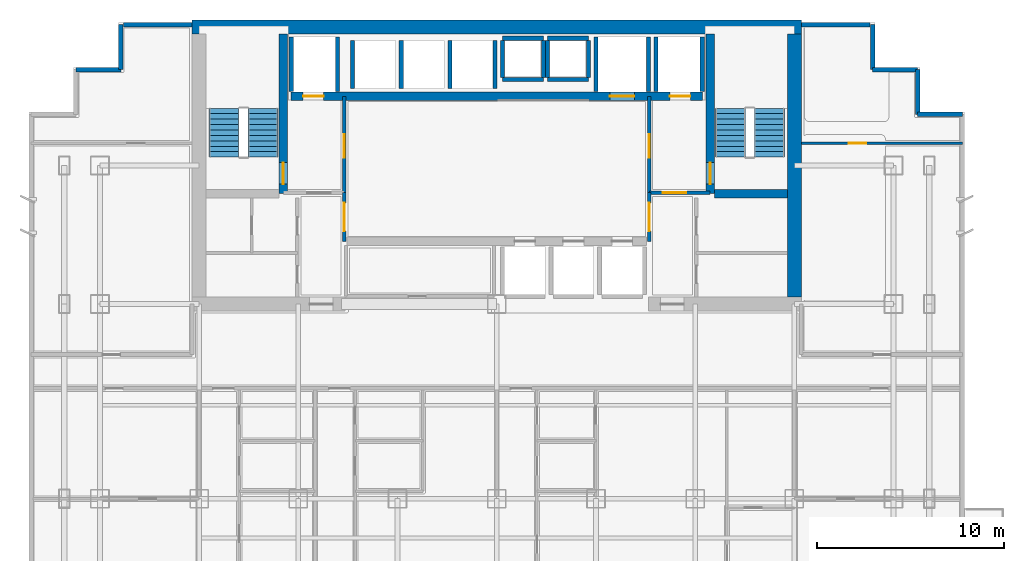
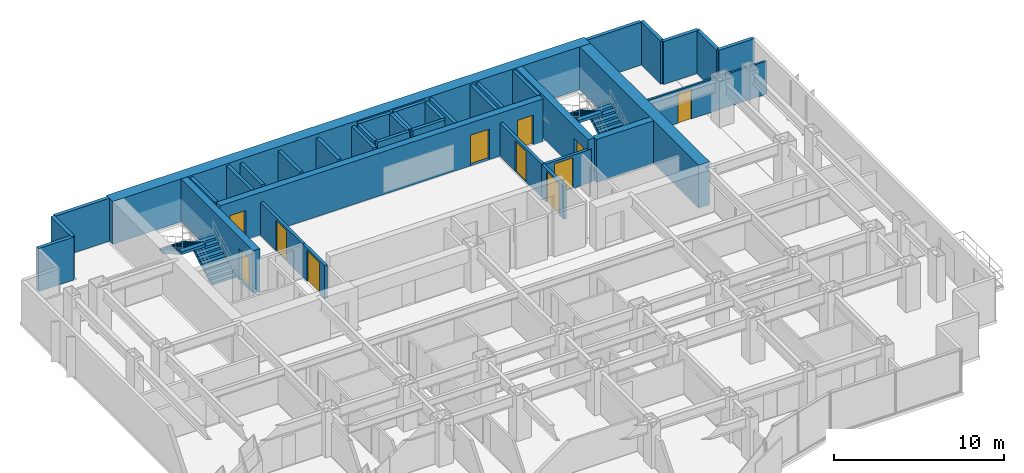
# One storey, part 7 of 10: 38 walls, 11 doors, 4 stair flights, 11 openings, 2 elements without a shape of their own.
"""IFC4 building model written with IfcOpenShell, lengths in metres."""

from ifc_helpers import new_model, si_unit, direction, frame, frame_2d, origin, place, context, subcontext, project, spatial, polyline, rectangle, outline, extrude, material, layer, layer_set, type_object, element, fill, aggregate, save


model = new_model("IFC4")

# Units and contexts
model_context = context("Model", 3, precision=1e-05, world=origin(), true_north=direction((0.0, 1.0)))
body_context = subcontext(model_context, "Body", "Model", "MODEL_VIEW")
ifc_project = project(units=[si_unit("LENGTHUNIT", "METRE"), si_unit("AREAUNIT", "SQUARE_METRE"), si_unit("VOLUMEUNIT", "CUBIC_METRE"), si_unit("PLANEANGLEUNIT", "RADIAN"), si_unit("MASSUNIT", "GRAM", prefix="KILO")], contexts=[model_context])

# Site, building, storey
site_placement = place(None, origin())
site = spatial("IfcSite", under=ifc_project, at=site_placement, CompositionType="ELEMENT")
building_placement = place(site_placement, origin())
building = spatial("IfcBuilding", under=site, at=building_placement, Name="Qianlan Lanfeng Residences", CompositionType="ELEMENT")
storey_placement = place(building_placement, frame((0.0, 0.0, 91.60009765625)))
storey = spatial("IfcBuildingStorey", under=building, at=storey_placement, Name="L24", CompositionType="ELEMENT", Elevation=91.60009765625)

# Wall, opening, door
ifc_material_1 = material(Name="Concrete C60", Category="concrete")
ifc_layer_1 = layer(ifc_material_1, 0.449951171875)
ifc_layer_set_1 = layer_set([ifc_layer_1], Name="Concrete C60")
wall_type_1 = type_object("IfcWallType", Name="CW-RC-450", PredefinedType="SHEAR", material=ifc_layer_set_1)
wall_1_placement = place(storey_placement, frame((15.10009765625, 31.10009765625, 0.0), z_axis=(0.0, 0.0, 1.0), x_axis=(0.0, 1.0, 0.0)))
wall_1 = element("IfcWall", 1, at=wall_1_placement, inside=storey, type_object=wall_type_1, Name="L24 Core Shear Wall ST1E", PredefinedType="SHEAR", context=body_context, shape_type="SweptSolid", body=[
    extrude(rectangle(XDim=8.52490234375, YDim=0.449951171875, at=frame_2d((4.262451171875, 0.0))), origin(), (0.0, 0.0, 1.0), 3.08984375),
])
opening_1_placement = place(wall_1_placement, frame((0.510009765625, 0.0, 0.0)))
opening_1 = element("IfcOpeningElement", 2, at=opening_1_placement, cuts=wall_1, Name="Opening L24-D07", PredefinedType="OPENING", context=body_context, shape_type="SweptSolid", body=[
    extrude(rectangle(XDim=1.14990234375, YDim=2.199951171875, at=frame_2d((0.574951171875, 1.10009765625))), frame((0.0, 0.23486328125, 0.0), z_axis=(0.0, -1.0, 0.0), x_axis=(1.0, 0.0, 0.0)), (0.0, 0.0, 1.0), 0.469970703125),
])
ifc_material_2 = material(Name="Painted Galvanised Steel Fire Door", Category="steel")
door_type_1 = type_object("IfcDoorType", Name="DT-ST1", OperationType="NOTDEFINED", PredefinedType="DOOR", material=ifc_material_2)
door_1_placement = place(opening_1_placement, frame((1.14990234375, 0.0, 0.0), z_axis=(0.0, 0.0, 1.0), x_axis=(-1.0, 0.0, 0.0)))
door_1 = element("IfcDoor", 3, at=door_1_placement, inside=storey, type_object=door_type_1, Name="L24 Exit Stair ST-1 Door L24-D07 (DT-ST1)", OperationType="SINGLE_SWING_RIGHT", OverallHeight=2.199951171875, OverallWidth=1.14990234375, PredefinedType="DOOR", context=body_context, shape_type="SweptSolid", body=[
    extrude(rectangle(XDim=1.14990234375, YDim=2.199951171875, at=frame_2d((0.574951171875, 1.10009765625))), frame((0.0, 0.02490234375, 0.0), z_axis=(0.0, -1.0, 0.0), x_axis=(1.0, 0.0, 0.0)), (0.0, 0.0, 1.0), 0.050048828125),
])
fill(opening_1, door_1)

wall_2_placement = place(storey_placement, frame((37.89990234375, 31.10009765625, 0.0), z_axis=(0.0, 0.0, 1.0), x_axis=(0.0, 1.0, 0.0)))
wall_2 = element("IfcWall", 4, at=wall_2_placement, inside=storey, type_object=wall_type_1, Name="L24 Core Shear Wall ST2W", PredefinedType="SHEAR", context=body_context, shape_type="SweptSolid", body=[
    extrude(rectangle(XDim=8.52490234375, YDim=0.449951171875, at=frame_2d((4.262451171875, 0.0))), origin(), (0.0, 0.0, 1.0), 3.08984375),
])
opening_2_placement = place(wall_2_placement, frame((0.510009765625, 0.0, 0.0)))
opening_2 = element("IfcOpeningElement", 5, at=opening_2_placement, cuts=wall_2, Name="Opening L24-D08", PredefinedType="OPENING", context=body_context, shape_type="SweptSolid", body=[
    extrude(rectangle(XDim=1.14990234375, YDim=2.199951171875, at=frame_2d((0.574951171875, 1.10009765625))), frame((0.0, 0.23486328125, 0.0), z_axis=(0.0, -1.0, 0.0), x_axis=(1.0, 0.0, 0.0)), (0.0, 0.0, 1.0), 0.469970703125),
])
door_2_placement = place(opening_2_placement, origin())
door_2 = element("IfcDoor", 6, at=door_2_placement, inside=storey, type_object=door_type_1, Name="L24 Exit Stair ST-2 Door L24-D08 (DT-ST1)", OperationType="SINGLE_SWING_RIGHT", OverallHeight=2.199951171875, OverallWidth=1.14990234375, PredefinedType="DOOR", context=body_context, shape_type="SweptSolid", body=[
    extrude(rectangle(XDim=1.14990234375, YDim=2.199951171875, at=frame_2d((0.574951171875, 1.10009765625))), frame((0.0, 0.02490234375, 0.0), z_axis=(0.0, -1.0, 0.0), x_axis=(1.0, 0.0, 0.0)), (0.0, 0.0, 1.0), 0.050048828125),
])
fill(opening_2, door_2)

# Wall
wall_3_placement = place(storey_placement, frame((38.125, 31.10009765625, 0.0), z_axis=(0.0, 0.0, 1.0), x_axis=(1.0, 0.0, 0.0)))
element("IfcWall", 7, at=wall_3_placement, inside=storey, type_object=wall_type_1, Name="L24 Core Shear Wall ST2S", PredefinedType="SHEAR", context=body_context, shape_type="SweptSolid", body=[
    extrude(rectangle(XDim=3.89990234375, YDim=0.449951171875, at=frame_2d((1.949951171875, 0.0))), origin(), (0.0, 0.0, 1.0), 3.08984375),
])

# Wall, openings, doors
wall_4_placement = place(storey_placement, frame((15.5, 36.300048828125, 0.0), z_axis=(0.0, 0.0, 1.0), x_axis=(1.0, 0.0, 0.0)))
wall_4 = element("IfcWall", 8, at=wall_4_placement, inside=storey, type_object=wall_type_1, Name="L24 Core Shear Wall LBN", PredefinedType="SHEAR", context=body_context, shape_type="SweptSolid", body=[
    extrude(rectangle(XDim=22.0, YDim=0.449951171875, at=frame_2d((11.0, 0.0))), origin(), (0.0, 0.0, 1.0), 3.08984375),
])
opening_3_placement = place(wall_4_placement, frame((0.64990234375, 0.0, 0.0)))
opening_3 = element("IfcOpeningElement", 9, at=opening_3_placement, cuts=wall_4, Name="Opening L24-LD-FFL-1", PredefinedType="OPENING", context=body_context, shape_type="SweptSolid", body=[
    extrude(rectangle(XDim=1.10009765625, YDim=2.14990234375, at=frame_2d((0.550048828125, 1.074951171875))), frame((0.0, 0.23486328125, 0.0), z_axis=(0.0, -1.0, 0.0), x_axis=(1.0, 0.0, 0.0)), (0.0, 0.0, 1.0), 0.469970703125),
])
opening_4_placement = place(wall_4_placement, frame((20.25, 0.0, 0.0)))
opening_4 = element("IfcOpeningElement", 10, at=opening_4_placement, cuts=wall_4, Name="Opening L24-LD-FFL-2", PredefinedType="OPENING", context=body_context, shape_type="SweptSolid", body=[
    extrude(rectangle(XDim=1.10009765625, YDim=2.14990234375, at=frame_2d((0.550048828125, 1.074951171875))), frame((0.0, 0.23486328125, 0.0), z_axis=(0.0, -1.0, 0.0), x_axis=(1.0, 0.0, 0.0)), (0.0, 0.0, 1.0), 0.469970703125),
])
opening_5_placement = place(wall_4_placement, frame((17.050048828125, 0.0, 0.0)))
opening_5 = element("IfcOpeningElement", 11, at=opening_5_placement, cuts=wall_4, Name="Opening L24-LD-SVL-1", PredefinedType="OPENING", context=body_context, shape_type="SweptSolid", body=[
    extrude(rectangle(XDim=1.300048828125, YDim=2.199951171875, at=frame_2d((0.64990234375, 1.10009765625))), frame((0.0, 0.23486328125, 0.0), z_axis=(0.0, -1.0, 0.0), x_axis=(1.0, 0.0, 0.0)), (0.0, 0.0, 1.0), 0.469970703125),
])
ifc_material_3 = material(Name="Brushed Stainless Steel Sliding Lift Door", Category="steel")
door_type_2 = type_object("IfcDoorType", Name="LD-01", OperationType="NOTDEFINED", PredefinedType="DOOR", material=ifc_material_3)
door_3_placement = place(opening_3_placement, frame((1.10009765625, 0.0, 0.0), z_axis=(0.0, 0.0, 1.0), x_axis=(-1.0, 0.0, 0.0)))
door_3 = element("IfcDoor", 12, at=door_3_placement, inside=storey, type_object=door_type_2, Name="L24 Elevator FFL-1 Sliding Landing Door", OperationType="DOUBLE_DOOR_SLIDING", OverallHeight=2.14990234375, OverallWidth=1.10009765625, PredefinedType="DOOR", context=body_context, shape_type="SweptSolid", body=[
    extrude(rectangle(XDim=1.10009765625, YDim=2.14990234375, at=frame_2d((0.550048828125, 1.074951171875))), frame((0.0, 0.02490234375, 0.0), z_axis=(0.0, -1.0, 0.0), x_axis=(1.0, 0.0, 0.0)), (0.0, 0.0, 1.0), 0.050048828125),
])
fill(opening_3, door_3)
door_4_placement = place(opening_4_placement, frame((1.10009765625, 0.0, 0.0), z_axis=(0.0, 0.0, 1.0), x_axis=(-1.0, 0.0, 0.0)))
door_4 = element("IfcDoor", 13, at=door_4_placement, inside=storey, type_object=door_type_2, Name="L24 Elevator FFL-2 Sliding Landing Door", OperationType="DOUBLE_DOOR_SLIDING", OverallHeight=2.14990234375, OverallWidth=1.10009765625, PredefinedType="DOOR", context=body_context, shape_type="SweptSolid", body=[
    extrude(rectangle(XDim=1.10009765625, YDim=2.14990234375, at=frame_2d((0.550048828125, 1.074951171875))), frame((0.0, 0.02490234375, 0.0), z_axis=(0.0, -1.0, 0.0), x_axis=(1.0, 0.0, 0.0)), (0.0, 0.0, 1.0), 0.050048828125),
])
fill(opening_4, door_4)
door_type_3 = type_object("IfcDoorType", Name="LD-02", OperationType="NOTDEFINED", PredefinedType="DOOR", material=ifc_material_3)
door_5_placement = place(opening_5_placement, frame((1.300048828125, 0.0, 0.0), z_axis=(0.0, 0.0, 1.0), x_axis=(-1.0, 0.0, 0.0)))
door_5 = element("IfcDoor", 14, at=door_5_placement, inside=storey, type_object=door_type_3, Name="L24 Elevator SVL-1 Sliding Landing Door", OperationType="DOUBLE_DOOR_SLIDING", OverallHeight=2.199951171875, OverallWidth=1.300048828125, PredefinedType="DOOR", context=body_context, shape_type="SweptSolid", body=[
    extrude(rectangle(XDim=1.300048828125, YDim=2.199951171875, at=frame_2d((0.64990234375, 1.10009765625))), frame((0.0, 0.02490234375, 0.0), z_axis=(0.0, -1.0, 0.0), x_axis=(1.0, 0.0, 0.0)), (0.0, 0.0, 1.0), 0.050048828125),
])
fill(opening_5, door_5)

# Walls
ifc_layer_2 = layer(ifc_material_1, 0.75)
ifc_layer_set_2 = layer_set([ifc_layer_2], Name="Concrete C60")
wall_type_2 = type_object("IfcWallType", Name="CW-RC-750", PredefinedType="SHEAR", material=ifc_layer_set_2)
wall_5_placement = place(storey_placement, frame((10.22509765625, 40.0, 0.0), z_axis=(0.0, 0.0, 1.0), x_axis=(1.0, 0.0, 0.0)))
element("IfcWall", 15, at=wall_5_placement, inside=storey, type_object=wall_type_2, Name="L24 Core Shear Wall N", PredefinedType="SHEAR", context=body_context, shape_type="SweptSolid", body=[
    extrude(rectangle(XDim=32.5498046875, YDim=0.75, at=frame_2d((16.27490234375, 0.0))), origin(), (0.0, 0.0, 1.0), 3.08984375),
])
wall_6_placement = place(storey_placement, frame((42.39990234375, 25.574951171875, 0.0), z_axis=(0.0, 0.0, 1.0), x_axis=(0.0, 1.0, 0.0)))
element("IfcWall", 16, at=wall_6_placement, inside=storey, type_object=wall_type_2, Name="L24 Core Shear Wall E", PredefinedType="SHEAR", context=body_context, shape_type="SweptSolid", body=[
    extrude(rectangle(XDim=14.050048828125, YDim=0.75, at=frame_2d((7.02490234375, 0.0))), origin(), (0.0, 0.0, 1.0), 3.08984375),
])
ifc_material_4 = material(Name="Concrete C42", Category="concrete")
ifc_layer_3 = layer(ifc_material_4, 0.239990234375)
ifc_layer_set_3 = layer_set([ifc_layer_3], Name="Concrete C42")
wall_type_3 = type_object("IfcWallType", Name="EW-240", PredefinedType="SOLIDWALL", material=ifc_layer_set_3)
for number, where, z_axis, x_axis, name in (
    (17, (51.3798828125, 35.330078125, 0.0), (0.0, 0.0, 1.0), (-1.0, 0.0, 0.0), "L24 Exterior Facade Spandrel Wall 11"),
    (18, (48.97998046875, 35.330078125, 0.0), (0.0, 0.0, 1.0), (0.0, 1.0, 0.0), "L24 Exterior Facade Spandrel Wall 12"),
    (19, (48.97998046875, 37.72998046875, 0.0), (0.0, 0.0, 1.0), (-1.0, 0.0, 0.0), "L24 Exterior Facade Spandrel Wall 13"),
    (20, (46.580078125, 37.72998046875, 0.0), (0.0, 0.0, 1.0), (0.0, 1.0, 0.0), "L24 Exterior Facade Spandrel Wall 14"),
):
    element("IfcWall", number, at=place(storey_placement, frame(where, z_axis=z_axis, x_axis=x_axis)), inside=storey, type_object=wall_type_3, Name=name, PredefinedType="SOLIDWALL", context=body_context, shape_type="SweptSolid", body=[
        extrude(rectangle(XDim=2.39990234375, YDim=0.239990234375, at=frame_2d((1.199951171875, 0.0))), origin(), (0.0, 0.0, 1.0), 3.08984375),
    ])
for number, where, z_axis, x_axis, name in (
    (21, (46.449951171875, 40.1298828125, 0.0), (0.0, 0.0, 1.0), (-1.0, 0.0, 0.0), "L24 North Wing Exterior Wall E"),
    (22, (10.22509765625, 40.1298828125, 0.0), (0.0, 0.0, 1.0), (-1.0, 0.0, 0.0), "L24 North Wing Exterior Wall W"),
):
    element("IfcWall", number, at=place(storey_placement, frame(where, z_axis=z_axis, x_axis=x_axis)), inside=storey, type_object=wall_type_3, Name=name, PredefinedType="SOLIDWALL", context=body_context, shape_type="SweptSolid", body=[
        extrude(rectangle(XDim=3.675048828125, YDim=0.239990234375, at=frame_2d((1.83740234375, 0.0))), origin(), (0.0, 0.0, 1.0), 3.08984375),
    ])
for number, where, z_axis, x_axis, name in (
    (23, (6.419921875, 40.1298828125, 0.0), (0.0, 0.0, 1.0), (0.0, -1.0, 0.0), "L24 Exterior Facade Spandrel Wall 17"),
    (24, (6.419921875, 37.72998046875, 0.0), (0.0, 0.0, 1.0), (-1.0, 0.0, 0.0), "L24 Exterior Facade Spandrel Wall 18"),
):
    element("IfcWall", number, at=place(storey_placement, frame(where, z_axis=z_axis, x_axis=x_axis)), inside=storey, type_object=wall_type_3, Name=name, PredefinedType="SOLIDWALL", context=body_context, shape_type="SweptSolid", body=[
        extrude(rectangle(XDim=2.39990234375, YDim=0.239990234375, at=frame_2d((1.199951171875, 0.0))), origin(), (0.0, 0.0, 1.0), 3.08984375),
    ])

# Wall, opening, door
ifc_material_5 = material(Name="Moisture-Resistant Gypsum Partition 135 mm")
ifc_layer_4 = layer(ifc_material_5, 0.135009765625)
ifc_layer_set_4 = layer_set([ifc_layer_4], Name="Moisture-Resistant Gypsum Partition 135 mm")
wall_type_4 = type_object("IfcWallType", Name="PW-135", PredefinedType="PARTITIONING", material=ifc_layer_set_4)
wall_7_placement = place(storey_placement, frame((42.77490234375, 33.800048828125, 0.0), z_axis=(0.0, 0.0, 1.0), x_axis=(1.0, 0.0, 0.0)))
wall_7 = element("IfcWall", 25, at=wall_7_placement, inside=storey, type_object=wall_type_4, Name="L24 EW North Wing Wall", PredefinedType="PARTITIONING", context=body_context, shape_type="SweptSolid", body=[
    extrude(rectangle(XDim=8.60498046875, YDim=0.135009765625, at=frame_2d((4.302490234375, 0.0))), origin(), (0.0, 0.0, 1.0), 2.3798828125),
])
opening_6_placement = place(wall_7_placement, frame((2.5419921875, 0.0, 0.0)))
opening_6 = element("IfcOpeningElement", 26, at=opening_6_placement, cuts=wall_7, Name="Opening L24-D43", PredefinedType="OPENING", context=body_context, shape_type="SweptSolid", body=[
    extrude(rectangle(XDim=0.919921875, YDim=2.14990234375, at=frame_2d((0.4599609375, 1.074951171875))), frame((0.0, 0.07763671875, 0.0), z_axis=(0.0, -1.0, 0.0), x_axis=(1.0, 0.0, 0.0)), (0.0, 0.0, 1.0), 0.155029296875),
])
ifc_material_6 = material(Name="Glazed Timber Kitchen/Study Door", Category="wood")
door_type_4 = type_object("IfcDoorType", Name="DT-INT", OperationType="NOTDEFINED", PredefinedType="DOOR", material=ifc_material_6)
door_6_placement = place(opening_6_placement, origin())
door_6 = element("IfcDoor", 27, at=door_6_placement, inside=storey, type_object=door_type_4, Name="L24 EW Inner Salon Door L24-D43 (DT-INT)", OperationType="SINGLE_SWING_RIGHT", OverallHeight=2.14990234375, OverallWidth=0.919921875, PredefinedType="DOOR", context=body_context, shape_type="SweptSolid", body=[
    extrude(rectangle(XDim=0.919921875, YDim=2.14990234375, at=frame_2d((0.4599609375, 1.074951171875))), frame((0.0, 0.02490234375, 0.0), z_axis=(0.0, -1.0, 0.0), x_axis=(1.0, 0.0, 0.0)), (0.0, 0.0, 1.0), 0.050048828125),
])
fill(opening_6, door_6)

ifc_material_7 = material(Name="Autoclaved Aerated Concrete Blockwork 200 mm", Category="masonry")
ifc_layer_5 = layer(ifc_material_7, 0.199951171875)
ifc_layer_set_5 = layer_set([ifc_layer_5], Name="Autoclaved Aerated Concrete Blockwork 200 mm")
wall_type_5 = type_object("IfcWallType", Name="PW-200", PredefinedType="PARTITIONING", material=ifc_layer_set_5)
wall_8_placement = place(storey_placement, frame((18.35009765625, 31.14990234375, 0.0), z_axis=(0.0, 0.0, 1.0), x_axis=(0.0, 1.0, 0.0)))
wall_8 = element("IfcWall", 28, at=wall_8_placement, inside=storey, type_object=wall_type_5, Name="L24 Firefighting Lobby 1 East Wall", PredefinedType="PARTITIONING", context=body_context, shape_type="SweptSolid", body=[
    extrude(rectangle(XDim=5.150146484375, YDim=0.199951171875, at=frame_2d((2.5751953125, 0.0))), origin(), (0.0, 0.0, 1.0), 2.3798828125),
])
opening_7_placement = place(wall_8_placement, frame((1.875, 0.0, 0.0)))
opening_7 = element("IfcOpeningElement", 29, at=opening_7_placement, cuts=wall_8, Name="Opening L24-D04", PredefinedType="OPENING", context=body_context, shape_type="SweptSolid", body=[
    extrude(rectangle(XDim=1.25, YDim=2.199951171875, at=frame_2d((0.625, 1.10009765625))), frame((0.0, 0.10986328125, 0.0), z_axis=(0.0, -1.0, 0.0), x_axis=(1.0, 0.0, 0.0)), (0.0, 0.0, 1.0), 0.219970703125),
])
door_type_5 = type_object("IfcDoorType", Name="DT-FFL", OperationType="NOTDEFINED", PredefinedType="DOOR", material=ifc_material_2)
door_7_placement = place(opening_7_placement, origin())
door_7 = element("IfcDoor", 30, at=door_7_placement, inside=storey, type_object=door_type_5, Name="L24 Firefighting Lobby 1 Lift Lobby Door L24-D04 (DT-FFL)", OperationType="SINGLE_SWING_LEFT", OverallHeight=2.199951171875, OverallWidth=1.25, PredefinedType="DOOR", context=body_context, shape_type="SweptSolid", body=[
    extrude(rectangle(XDim=1.25, YDim=2.199951171875, at=frame_2d((0.625, 1.10009765625))), frame((0.0, 0.02490234375, 0.0), z_axis=(0.0, -1.0, 0.0), x_axis=(1.0, 0.0, 0.0)), (0.0, 0.0, 1.0), 0.050048828125),
])
fill(opening_7, door_7)

wall_9_placement = place(storey_placement, frame((34.64990234375, 31.14990234375, 0.0), z_axis=(0.0, 0.0, 1.0), x_axis=(1.0, 0.0, 0.0)))
wall_9 = element("IfcWall", 31, at=wall_9_placement, inside=storey, type_object=wall_type_5, Name="L24 Firefighting Lobby 2 South Wall", PredefinedType="PARTITIONING", context=body_context, shape_type="SweptSolid", body=[
    extrude(rectangle(XDim=3.25, YDim=0.199951171875, at=frame_2d((1.625, 0.0))), origin(), (0.0, 0.0, 1.0), 2.3798828125),
])
opening_8_placement = place(wall_9_placement, frame((0.72509765625, 0.0, 0.0)))
opening_8 = element("IfcOpeningElement", 32, at=opening_8_placement, cuts=wall_9, Name="Opening L24-D05", PredefinedType="OPENING", context=body_context, shape_type="SweptSolid", body=[
    extrude(rectangle(XDim=1.25, YDim=2.199951171875, at=frame_2d((0.625, 1.10009765625))), frame((0.0, 0.10986328125, 0.0), z_axis=(0.0, -1.0, 0.0), x_axis=(1.0, 0.0, 0.0)), (0.0, 0.0, 1.0), 0.219970703125),
])
door_8_placement = place(opening_8_placement, origin())
door_8 = element("IfcDoor", 33, at=door_8_placement, inside=storey, type_object=door_type_5, Name="L24 Firefighting Lobby 2 Entry Door L24-D05 (DT-FFL)", OperationType="SINGLE_SWING_RIGHT", OverallHeight=2.199951171875, OverallWidth=1.25, PredefinedType="DOOR", context=body_context, shape_type="SweptSolid", body=[
    extrude(rectangle(XDim=1.25, YDim=2.199951171875, at=frame_2d((0.625, 1.10009765625))), frame((0.0, 0.02490234375, 0.0), z_axis=(0.0, -1.0, 0.0), x_axis=(1.0, 0.0, 0.0)), (0.0, 0.0, 1.0), 0.050048828125),
])
fill(opening_8, door_8)

wall_10_placement = place(storey_placement, frame((34.64990234375, 31.14990234375, 0.0), z_axis=(0.0, 0.0, 1.0), x_axis=(0.0, 1.0, 0.0)))
wall_10 = element("IfcWall", 34, at=wall_10_placement, inside=storey, type_object=wall_type_5, Name="L24 Firefighting Lobby 2 West Wall", PredefinedType="PARTITIONING", context=body_context, shape_type="SweptSolid", body=[
    extrude(rectangle(XDim=5.150146484375, YDim=0.199951171875, at=frame_2d((2.5751953125, 0.0))), origin(), (0.0, 0.0, 1.0), 2.3798828125),
])
opening_9_placement = place(wall_10_placement, frame((1.875, 0.0, 0.0)))
opening_9 = element("IfcOpeningElement", 35, at=opening_9_placement, cuts=wall_10, Name="Opening L24-D06", PredefinedType="OPENING", context=body_context, shape_type="SweptSolid", body=[
    extrude(rectangle(XDim=1.25, YDim=2.199951171875, at=frame_2d((0.625, 1.10009765625))), frame((0.0, 0.10986328125, 0.0), z_axis=(0.0, -1.0, 0.0), x_axis=(1.0, 0.0, 0.0)), (0.0, 0.0, 1.0), 0.219970703125),
])
door_9_placement = place(opening_9_placement, origin())
door_9 = element("IfcDoor", 36, at=door_9_placement, inside=storey, type_object=door_type_5, Name="L24 Firefighting Lobby 2 Lift Lobby Door L24-D06 (DT-FFL)", OperationType="SINGLE_SWING_LEFT", OverallHeight=2.199951171875, OverallWidth=1.25, PredefinedType="DOOR", context=body_context, shape_type="SweptSolid", body=[
    extrude(rectangle(XDim=1.25, YDim=2.199951171875, at=frame_2d((0.625, 1.10009765625))), frame((0.0, 0.02490234375, 0.0), z_axis=(0.0, -1.0, 0.0), x_axis=(1.0, 0.0, 0.0)), (0.0, 0.0, 1.0), 0.050048828125),
])
fill(opening_9, door_9)

wall_11_placement = place(storey_placement, frame((18.35009765625, 28.550048828125, 0.0), z_axis=(0.0, 0.0, 1.0), x_axis=(0.0, 1.0, 0.0)))
wall_11 = element("IfcWall", 37, at=wall_11_placement, inside=storey, type_object=wall_type_5, Name="L24 Lift Lobby West Connector Wall", PredefinedType="PARTITIONING", context=body_context, shape_type="SweptSolid", body=[
    extrude(rectangle(XDim=2.599853515625, YDim=0.199951171875, at=frame_2d((1.2998046875, 0.0))), origin(), (0.0, 0.0, 1.0), 2.3798828125),
])
opening_10_placement = place(wall_11_placement, frame((0.550048828125, 0.0, 0.0)))
opening_10 = element("IfcOpeningElement", 38, at=opening_10_placement, cuts=wall_11, Name="Opening L24-D14", PredefinedType="OPENING", context=body_context, shape_type="SweptSolid", body=[
    extrude(rectangle(XDim=1.5, YDim=2.25, at=frame_2d((0.75, 1.125))), frame((0.0, 0.10986328125, 0.0), z_axis=(0.0, -1.0, 0.0), x_axis=(1.0, 0.0, 0.0)), (0.0, 0.0, 1.0), 0.219970703125),
])
ifc_material_8 = material(Name="Timber Veneer Acoustic Fire Door", Category="wood")
door_type_6 = type_object("IfcDoorType", Name="DT-COR1", OperationType="NOTDEFINED", PredefinedType="DOOR", material=ifc_material_8)
door_10_placement = place(opening_10_placement, origin())
door_10 = element("IfcDoor", 39, at=door_10_placement, inside=storey, type_object=door_type_6, Name="L24 Lift Lobby West Portal Door L24-D14 (DT-COR1)", OperationType="DOUBLE_DOOR_SINGLE_SWING", OverallHeight=2.25, OverallWidth=1.5, PredefinedType="DOOR", context=body_context, shape_type="SweptSolid", body=[
    extrude(rectangle(XDim=1.5, YDim=2.25, at=frame_2d((0.75, 1.125))), frame((0.0, 0.02490234375, 0.0), z_axis=(0.0, -1.0, 0.0), x_axis=(1.0, 0.0, 0.0)), (0.0, 0.0, 1.0), 0.050048828125),
])
fill(opening_10, door_10)

wall_12_placement = place(storey_placement, frame((34.64990234375, 28.550048828125, 0.0), z_axis=(0.0, 0.0, 1.0), x_axis=(0.0, 1.0, 0.0)))
wall_12 = element("IfcWall", 40, at=wall_12_placement, inside=storey, type_object=wall_type_5, Name="L24 Lift Lobby East Connector Wall", PredefinedType="PARTITIONING", context=body_context, shape_type="SweptSolid", body=[
    extrude(rectangle(XDim=2.599853515625, YDim=0.199951171875, at=frame_2d((1.2998046875, 0.0))), origin(), (0.0, 0.0, 1.0), 2.3798828125),
])
opening_11_placement = place(wall_12_placement, frame((0.550048828125, 0.0, 0.0)))
opening_11 = element("IfcOpeningElement", 41, at=opening_11_placement, cuts=wall_12, Name="Opening L24-D15", PredefinedType="OPENING", context=body_context, shape_type="SweptSolid", body=[
    extrude(rectangle(XDim=1.5, YDim=2.25, at=frame_2d((0.75, 1.125))), frame((0.0, 0.10986328125, 0.0), z_axis=(0.0, -1.0, 0.0), x_axis=(1.0, 0.0, 0.0)), (0.0, 0.0, 1.0), 0.219970703125),
])
door_11_placement = place(opening_11_placement, frame((1.5, 0.0, 0.0), z_axis=(0.0, 0.0, 1.0), x_axis=(-1.0, 0.0, 0.0)))
door_11 = element("IfcDoor", 42, at=door_11_placement, inside=storey, type_object=door_type_6, Name="L24 Lift Lobby East Portal Door L24-D15 (DT-COR1)", OperationType="DOUBLE_DOOR_SINGLE_SWING", OverallHeight=2.25, OverallWidth=1.5, PredefinedType="DOOR", context=body_context, shape_type="SweptSolid", body=[
    extrude(rectangle(XDim=1.5, YDim=2.25, at=frame_2d((0.75, 1.125))), frame((0.0, 0.02490234375, 0.0), z_axis=(0.0, -1.0, 0.0), x_axis=(1.0, 0.0, 0.0)), (0.0, 0.0, 1.0), 0.050048828125),
])
fill(opening_11, door_11)

# Walls
ifc_material_9 = material(Name="Concrete C49", Category="concrete")
ifc_layer_6 = layer(ifc_material_9, 0.219970703125)
ifc_layer_set_6 = layer_set([ifc_layer_6], Name="Concrete C49")
wall_type_6 = type_object("IfcWallType", Name="SHW-220", PredefinedType="SOLIDWALL", material=ifc_layer_set_6)
for number, where, z_axis, x_axis, name in (
    (43, (15.52001953125, 36.550048828125, 0.0), (0.0, 0.0, 1.0), (0.0, 1.0, 0.0), "L24 Lift FFL-1 Shaft Wall W"),
    (44, (18.0, 36.550048828125, 0.0), (0.0, 0.0, 1.0), (0.0, 1.0, 0.0), "L24 Lift FFL-1 Shaft Wall E"),
    (45, (35.0, 36.550048828125, 0.0), (0.0, 0.0, 1.0), (0.0, 1.0, 0.0), "L24 Lift FFL-2 Shaft Wall W"),
    (46, (37.47998046875, 36.550048828125, 0.0), (0.0, 0.0, 1.0), (0.0, 1.0, 0.0), "L24 Lift FFL-2 Shaft Wall E"),
    (47, (31.800048828125, 36.550048828125, 0.0), (0.0, 0.0, 1.0), (0.0, 1.0, 0.0), "L24 Lift SVL-1 Shaft Wall W"),
    (48, (34.60009765625, 36.550048828125, 0.0), (0.0, 0.0, 1.0), (0.0, 1.0, 0.0), "L24 Lift SVL-1 Shaft Wall E"),
):
    element("IfcWall", number, at=place(storey_placement, frame(where, z_axis=z_axis, x_axis=x_axis)), inside=storey, type_object=wall_type_6, Name=name, PredefinedType="SOLIDWALL", context=body_context, shape_type="SweptSolid", body=[
        extrude(rectangle(XDim=2.929931640625, YDim=0.219970703125, at=frame_2d((1.46484375, 0.0))), origin(), (0.0, 0.0, 1.0), 3.08984375),
    ])
for number, where, z_axis, x_axis, name in (
    (49, (18.800048828125, 36.719970703125, 0.0), (0.0, 0.0, 1.0), (0.0, 1.0, 0.0), "L24 Lift PL-H1 Shaft Wall W"),
    (50, (21.39990234375, 36.719970703125, 0.0), (0.0, 0.0, 1.0), (0.0, 1.0, 0.0), "L24 Lift PL-H2 Shaft Wall W"),
    (51, (24.0, 36.719970703125, 0.0), (0.0, 0.0, 1.0), (0.0, 1.0, 0.0), "L24 Lift PL-H3 Shaft Wall W"),
    (52, (26.39990234375, 36.719970703125, 0.0), (0.0, 0.0, 1.0), (0.0, 1.0, 0.0), "L24 Lift PL-H3 Shaft Wall E"),
):
    element("IfcWall", number, at=place(storey_placement, frame(where, z_axis=z_axis, x_axis=x_axis)), inside=storey, type_object=wall_type_6, Name=name, PredefinedType="SOLIDWALL", context=body_context, shape_type="SweptSolid", body=[
        extrude(rectangle(XDim=2.56005859375, YDim=0.219970703125, at=frame_2d((1.280029296875, 0.0))), origin(), (0.0, 0.0, 1.0), 3.08984375),
    ])
for number, where, z_axis, x_axis, name in (
    (53, (26.800048828125, 37.31005859375, 0.0), (0.0, 0.0, 1.0), (0.0, 1.0, 0.0), "L24 MEP Riser MEP-R1 Shaft Wall W"),
    (54, (29.0, 37.31005859375, 0.0), (0.0, 0.0, 1.0), (0.0, 1.0, 0.0), "L24 MEP Riser MEP-R1 Shaft Wall E"),
):
    element("IfcWall", number, at=place(storey_placement, frame(where, z_axis=z_axis, x_axis=x_axis)), inside=storey, type_object=wall_type_6, Name=name, PredefinedType="SOLIDWALL", context=body_context, shape_type="SweptSolid", body=[
        extrude(rectangle(XDim=1.97998046875, YDim=0.219970703125, at=frame_2d((0.989990234375, 0.0))), origin(), (0.0, 0.0, 1.0), 3.08984375),
    ])
for number, where, z_axis, x_axis, name in (
    (55, (26.800048828125, 39.39990234375, 0.0), (0.0, 0.0, 1.0), (1.0, 0.0, 0.0), "L24 MEP Riser MEP-R1 Shaft Wall N"),
    (56, (26.800048828125, 37.199951171875, 0.0), (0.0, 0.0, 1.0), (1.0, 0.0, 0.0), "L24 MEP Riser MEP-R1 Shaft Wall S"),
):
    element("IfcWall", number, at=place(storey_placement, frame(where, z_axis=z_axis, x_axis=x_axis)), inside=storey, type_object=wall_type_6, Name=name, PredefinedType="SOLIDWALL", context=body_context, shape_type="SweptSolid", body=[
        extrude(rectangle(XDim=2.199951171875, YDim=0.219970703125, at=frame_2d((1.10009765625, 0.0))), origin(), (0.0, 0.0, 1.0), 3.08984375),
    ])
for number, where, z_axis, x_axis, name in (
    (57, (29.199951171875, 37.31005859375, 0.0), (0.0, 0.0, 1.0), (0.0, 1.0, 0.0), "L24 MEP Riser MEP-R2 Shaft Wall W"),
    (58, (31.39990234375, 37.31005859375, 0.0), (0.0, 0.0, 1.0), (0.0, 1.0, 0.0), "L24 MEP Riser MEP-R2 Shaft Wall E"),
):
    element("IfcWall", number, at=place(storey_placement, frame(where, z_axis=z_axis, x_axis=x_axis)), inside=storey, type_object=wall_type_6, Name=name, PredefinedType="SOLIDWALL", context=body_context, shape_type="SweptSolid", body=[
        extrude(rectangle(XDim=1.97998046875, YDim=0.219970703125, at=frame_2d((0.989990234375, 0.0))), origin(), (0.0, 0.0, 1.0), 3.08984375),
    ])
for number, where, z_axis, x_axis, name in (
    (59, (29.199951171875, 39.39990234375, 0.0), (0.0, 0.0, 1.0), (1.0, 0.0, 0.0), "L24 MEP Riser MEP-R2 Shaft Wall N"),
    (60, (29.199951171875, 37.199951171875, 0.0), (0.0, 0.0, 1.0), (1.0, 0.0, 0.0), "L24 MEP Riser MEP-R2 Shaft Wall S"),
):
    element("IfcWall", number, at=place(storey_placement, frame(where, z_axis=z_axis, x_axis=x_axis)), inside=storey, type_object=wall_type_6, Name=name, PredefinedType="SOLIDWALL", context=body_context, shape_type="SweptSolid", body=[
        extrude(rectangle(XDim=2.199951171875, YDim=0.219970703125, at=frame_2d((1.10009765625, 0.0))), origin(), (0.0, 0.0, 1.0), 3.08984375),
    ])

# Stair, stair flights
stair_type = type_object("IfcStairType", Name="STR-MAIN", PredefinedType="HALF_TURN_STAIR", material=ifc_material_4)
stair_1_placement = place(storey_placement, origin())
stair_1 = element("IfcStair", 61, at=stair_1_placement, inside=storey, type_object=stair_type, Name="L24 Exit Stair ST-1", PredefinedType="HALF_TURN_STAIR")
stair_flight_type = type_object("IfcStairFlightType", Name="FLT-1720", PredefinedType="STRAIGHT", material=ifc_material_4)
stair_flight_1_placement = place(storey_placement, frame((14.02001953125, 33.050048828125, 0.0), z_axis=(0.0, 0.0, 1.0), x_axis=(0.0, 1.0, 0.0)))
stair_flight_1 = element("IfcStairFlight", 62, at=stair_flight_1_placement, type_object=stair_flight_type, Name="ST-1 flight 1", NumberOfRisers=10, NumberOfTreads=9, PredefinedType="STRAIGHT", RiserHeight=0.165, TreadLength=0.29, context=body_context, shape_type="SweptSolid", body=[
    extrude(outline(polyline([(0.0, 0.0), (0.0, 0.1650390625), (0.2900390625, 0.1650390625), (0.2900390625, 0.330078125), (0.580078125, 0.330078125), (0.580078125, 0.4951171875), (0.8701171875, 0.4951171875), (0.8701171875, 0.659912109375), (1.159912109375, 0.659912109375), (1.159912109375, 0.824951171875), (1.449951171875, 0.824951171875), (1.449951171875, 0.989990234375), (1.739990234375, 0.989990234375), (1.739990234375, 1.155029296875), (2.030029296875, 1.155029296875), (2.030029296875, 1.320068359375), (2.320068359375, 1.320068359375), (2.320068359375, 1.485107421875), (2.610107421875, 1.485107421875), (2.610107421875, 1.64990234375), (2.610107421875, 1.278076171875), (0.36376953125, 0.0), (0.0, 0.0)])), frame((0.0, 0.800048828125, 0.0), z_axis=(0.0, -1.0, 0.0), x_axis=(1.0, 0.0, 0.0)), (0.0, 0.0, 1.0), 1.60009765625),
])
stair_flight_2_placement = place(storey_placement, frame((11.93994140625, 35.659912109375, 1.64990234375), z_axis=(0.0, 0.0, 1.0), x_axis=(0.0, -1.0, 0.0)))
stair_flight_2 = element("IfcStairFlight", 63, at=stair_flight_2_placement, type_object=stair_flight_type, Name="ST-1 flight 2", NumberOfRisers=10, NumberOfTreads=9, PredefinedType="STRAIGHT", RiserHeight=0.165, TreadLength=0.29, context=body_context, shape_type="SweptSolid", body=[
    extrude(outline(polyline([(0.0, 0.0), (0.0, 0.1650390625), (0.2900390625, 0.1650390625), (0.2900390625, 0.330078125), (0.580078125, 0.330078125), (0.580078125, 0.4951171875), (0.8701171875, 0.4951171875), (0.8701171875, 0.659912109375), (1.159912109375, 0.659912109375), (1.159912109375, 0.824951171875), (1.449951171875, 0.824951171875), (1.449951171875, 0.989990234375), (1.739990234375, 0.989990234375), (1.739990234375, 1.155029296875), (2.030029296875, 1.155029296875), (2.030029296875, 1.320068359375), (2.320068359375, 1.320068359375), (2.320068359375, 1.485107421875), (2.610107421875, 1.485107421875), (2.610107421875, 1.64990234375), (2.610107421875, 1.278076171875), (0.36376953125, 0.0), (0.0, 0.0)])), frame((0.0, 0.800048828125, 0.0), z_axis=(0.0, -1.0, 0.0), x_axis=(1.0, 0.0, 0.0)), (0.0, 0.0, 1.0), 1.60009765625),
])
aggregate(stair_1, [stair_flight_1, stair_flight_2])

stair_2_placement = place(storey_placement, origin())
stair_2 = element("IfcStair", 64, at=stair_2_placement, inside=storey, type_object=stair_type, Name="L24 Exit Stair ST-2", PredefinedType="HALF_TURN_STAIR")
stair_flight_3_placement = place(storey_placement, frame((41.06005859375, 33.050048828125, 0.0), z_axis=(0.0, 0.0, 1.0), x_axis=(0.0, 1.0, 0.0)))
stair_flight_3 = element("IfcStairFlight", 65, at=stair_flight_3_placement, type_object=stair_flight_type, Name="ST-2 flight 1", NumberOfRisers=10, NumberOfTreads=9, PredefinedType="STRAIGHT", RiserHeight=0.165, TreadLength=0.29, context=body_context, shape_type="SweptSolid", body=[
    extrude(outline(polyline([(0.0, 0.0), (0.0, 0.1650390625), (0.2900390625, 0.1650390625), (0.2900390625, 0.330078125), (0.580078125, 0.330078125), (0.580078125, 0.4951171875), (0.8701171875, 0.4951171875), (0.8701171875, 0.659912109375), (1.159912109375, 0.659912109375), (1.159912109375, 0.824951171875), (1.449951171875, 0.824951171875), (1.449951171875, 0.989990234375), (1.739990234375, 0.989990234375), (1.739990234375, 1.155029296875), (2.030029296875, 1.155029296875), (2.030029296875, 1.320068359375), (2.320068359375, 1.320068359375), (2.320068359375, 1.485107421875), (2.610107421875, 1.485107421875), (2.610107421875, 1.64990234375), (2.610107421875, 1.278076171875), (0.36376953125, 0.0), (0.0, 0.0)])), frame((0.0, 0.800048828125, 0.0), z_axis=(0.0, -1.0, 0.0), x_axis=(1.0, 0.0, 0.0)), (0.0, 0.0, 1.0), 1.60009765625),
])
stair_flight_4_placement = place(storey_placement, frame((38.97998046875, 35.659912109375, 1.64990234375), z_axis=(0.0, 0.0, 1.0), x_axis=(0.0, -1.0, 0.0)))
stair_flight_4 = element("IfcStairFlight", 66, at=stair_flight_4_placement, type_object=stair_flight_type, Name="ST-2 flight 2", NumberOfRisers=10, NumberOfTreads=9, PredefinedType="STRAIGHT", RiserHeight=0.165, TreadLength=0.29, context=body_context, shape_type="SweptSolid", body=[
    extrude(outline(polyline([(0.0, 0.0), (0.0, 0.1650390625), (0.2900390625, 0.1650390625), (0.2900390625, 0.330078125), (0.580078125, 0.330078125), (0.580078125, 0.4951171875), (0.8701171875, 0.4951171875), (0.8701171875, 0.659912109375), (1.159912109375, 0.659912109375), (1.159912109375, 0.824951171875), (1.449951171875, 0.824951171875), (1.449951171875, 0.989990234375), (1.739990234375, 0.989990234375), (1.739990234375, 1.155029296875), (2.030029296875, 1.155029296875), (2.030029296875, 1.320068359375), (2.320068359375, 1.320068359375), (2.320068359375, 1.485107421875), (2.610107421875, 1.485107421875), (2.610107421875, 1.64990234375), (2.610107421875, 1.278076171875), (0.36376953125, 0.0), (0.0, 0.0)])), frame((0.0, 0.800048828125, 0.0), z_axis=(0.0, -1.0, 0.0), x_axis=(1.0, 0.0, 0.0)), (0.0, 0.0, 1.0), 1.60009765625),
])
aggregate(stair_2, [stair_flight_3, stair_flight_4])

save(model, "model.ifc")
